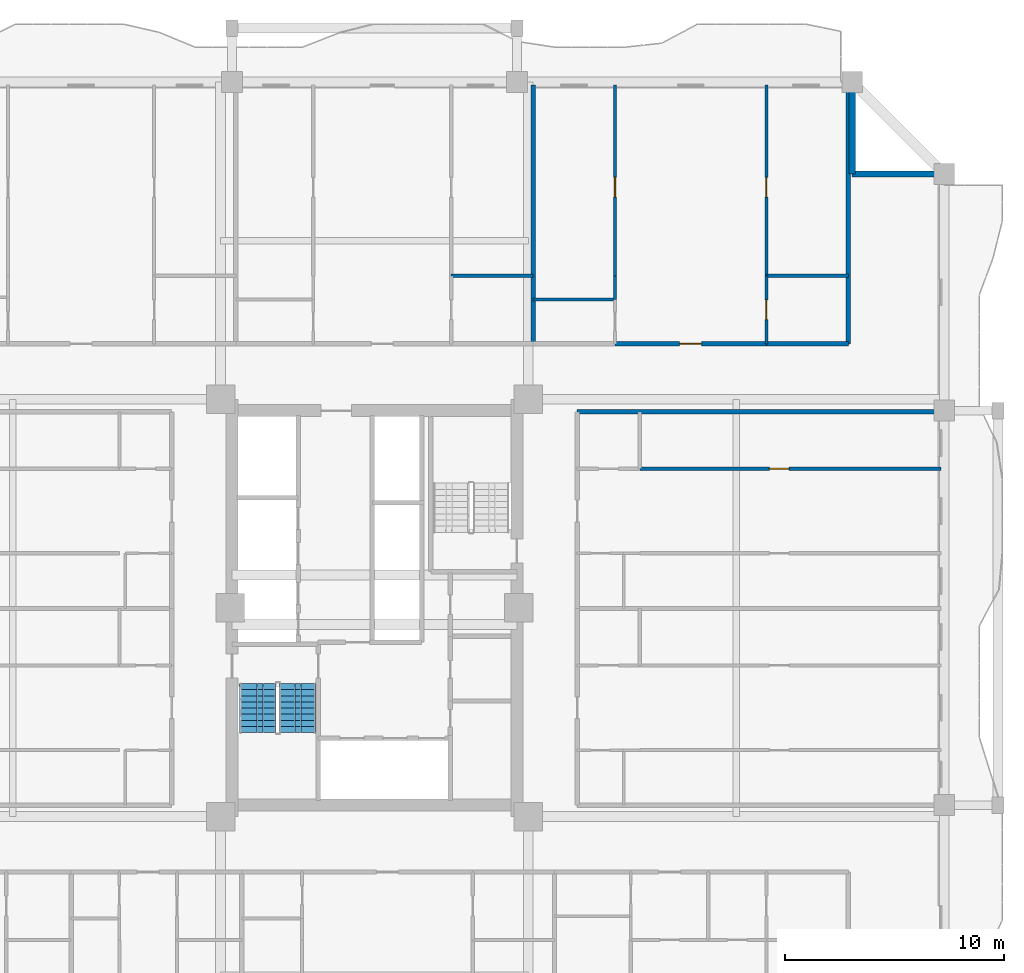
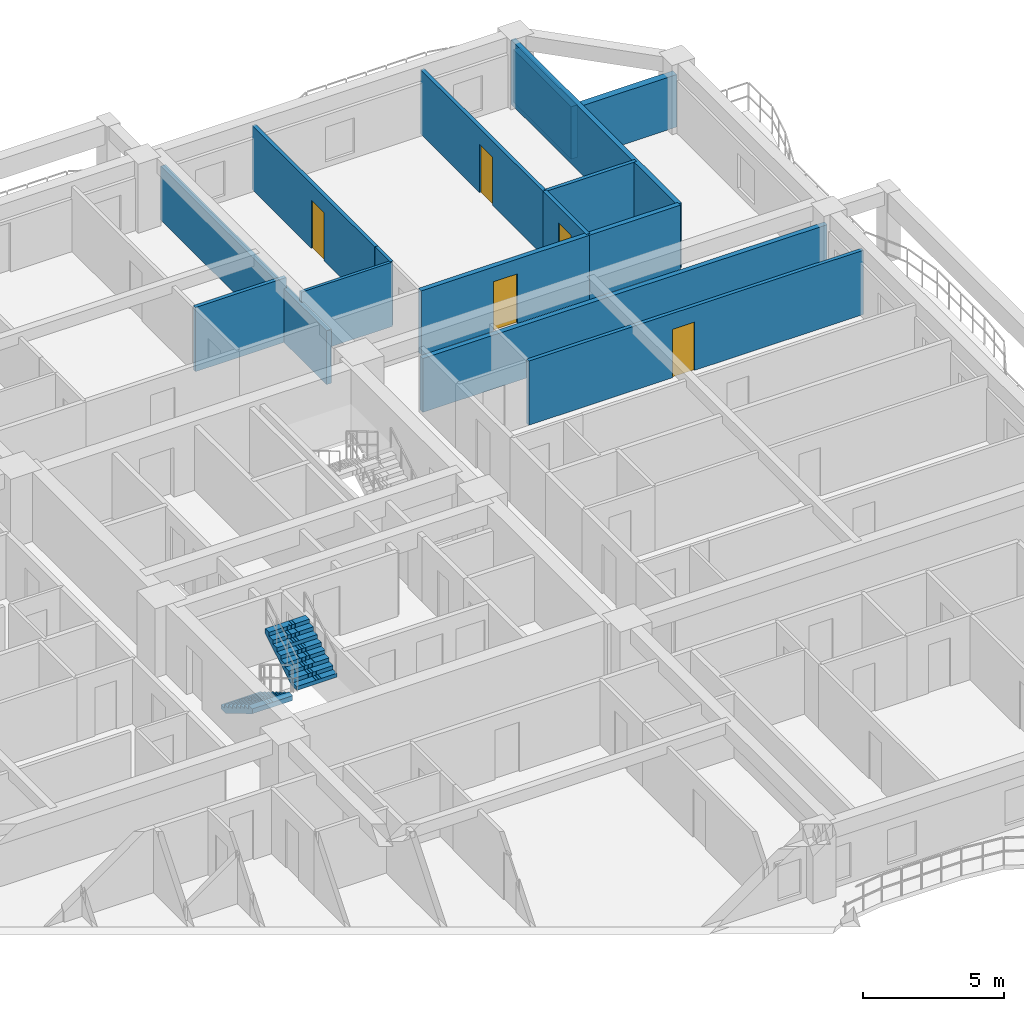
# One storey, part 8 of 13: 15 walls, 5 doors, 2 stair flights, 5 openings, 1 element without a shape of its own.
"""IFC4 building model written with IfcOpenShell, lengths in metres."""

from ifc_helpers import new_model, si_unit, direction, frame, frame_2d, origin, place, context, subcontext, project, spatial, polyline, rectangle, outline, extrude, source, transform, mapped, material, layer, layer_set, type_object, element, fill, aggregate, save


model = new_model("IFC4")

# Units and contexts
model_context = context("Model", 3, precision=1e-05, world=origin(), true_north=direction((0.0, 1.0)))
body_context = subcontext(model_context, "Body", "Model", "MODEL_VIEW")
ifc_project = project(units=[si_unit("LENGTHUNIT", "METRE"), si_unit("AREAUNIT", "SQUARE_METRE"), si_unit("VOLUMEUNIT", "CUBIC_METRE"), si_unit("PLANEANGLEUNIT", "RADIAN"), si_unit("MASSUNIT", "GRAM", prefix="KILO")], contexts=[model_context])

# Site, building, storey
site_placement = place(None, origin())
site = spatial("IfcSite", under=ifc_project, at=site_placement, CompositionType="ELEMENT")
building_placement = place(site_placement, origin())
building = spatial("IfcBuilding", under=site, at=building_placement, Name="Saelheon Loggia Tower", CompositionType="ELEMENT")
storey_placement = place(building_placement, frame((0.0, 0.0, 83.85009765625)))
storey = spatial("IfcBuildingStorey", under=building, at=storey_placement, Name="L26", CompositionType="ELEMENT", Elevation=83.85009765625)

# Walls
ifc_material_1 = material(Name="Architectural Precast Concrete C40/50", Category="concrete")
ifc_layer_1 = layer(ifc_material_1, 0.280029296875)
ifc_layer_set_1 = layer_set([ifc_layer_1], Name="Architectural Precast Concrete C40/50")
wall_type_1 = type_object("IfcWallType", Name="Wall_Ext_Loggia_280", PredefinedType="SOLIDWALL", material=ifc_layer_set_1)
for number, where, z_axis, x_axis, name in (
    (1, (59.800048828125, 46.800048828125, 0.0), (0.0, 0.0, 1.0), (0.0, 1.0, 0.0), "L26 Corner Notch Precast Wall NE1"),
    (2, (59.800048828125, 46.800048828125, 0.0), (0.0, 0.0, 1.0), (1.0, 0.0, 0.0), "L26 Corner Notch Precast Wall NE2"),
):
    element("IfcWall", number, at=place(storey_placement, frame(where, z_axis=z_axis, x_axis=x_axis)), inside=storey, type_object=wall_type_1, Name=name, PredefinedType="SOLIDWALL", context=body_context, shape_type="SweptSolid", body=[
        extrude(rectangle(XDim=4.119873046875, YDim=0.280029296875, at=frame_2d((2.06005859375, 0.0))), origin(), (0.0, 0.0, 1.0), 2.27978515625),
    ])
ifc_material_2 = material(Name="Lightweight Autoclaved Aerated Concrete Block and Acoustic Gypsum", Category="concrete")
ifc_layer_2 = layer(ifc_material_2, 0.14990234375)
ifc_layer_set_2 = layer_set([ifc_layer_2], Name="Lightweight Autoclaved Aerated Concrete Block and Acoustic Gypsum")
wall_type_2 = type_object("IfcWallType", Name="Wall_Part_150", PredefinedType="PARTITIONING", material=ifc_layer_set_2)
for number, where, z_axis, x_axis, name in (
    (3, (41.5029296875, 42.14990234375, 0.0), (0.0, 0.0, 1.0), (1.0, 0.0, 0.0), "L26 N Partition V20"),
    (4, (55.884521484375, 42.14990234375, 0.0), (0.0, 0.0, 1.0), (1.0, 0.0, 0.0), "L26 N Partition V31"),
):
    element("IfcWall", number, at=place(storey_placement, frame(where, z_axis=z_axis, x_axis=x_axis)), inside=storey, type_object=wall_type_2, Name=name, PredefinedType="PARTITIONING", context=body_context, shape_type="SweptSolid", body=[
        extrude(rectangle(XDim=3.735595703125, YDim=0.14990234375, at=frame_2d((1.86767578125, 0.0))), origin(), (0.0, 0.0, 1.0), 2.789794921875),
    ])

# Wall, opening, door
wall_1_placement = place(storey_placement, frame((48.97412109375, 42.14990234375, 0.0), z_axis=(0.0, 0.0, 1.0), x_axis=(0.0, 1.0, 0.0)))
wall_1 = element("IfcWall", 5, at=wall_1_placement, inside=storey, type_object=wall_type_2, Name="L26 N Partition U34", PredefinedType="PARTITIONING", context=body_context, shape_type="SweptSolid", body=[
    extrude(rectangle(XDim=8.7001953125, YDim=0.14990234375, at=frame_2d((4.35009765625, 0.0))), origin(), (0.0, 0.0, 1.0), 2.789794921875),
])
opening_1_placement = place(wall_1_placement, frame((3.594970703125, 0.0, 0.0)))
opening_1 = element("IfcOpeningElement", 6, at=opening_1_placement, cuts=wall_1, Name="Opening D-IN2", PredefinedType="OPENING", context=body_context, shape_type="SweptSolid", body=[
    extrude(rectangle(XDim=0.89990234375, YDim=2.10009765625, at=frame_2d((0.449951171875, 1.050048828125))), frame((0.0, 0.0869140625, 0.0), z_axis=(0.0, -1.0, 0.0), x_axis=(1.0, 0.0, 0.0)), (0.0, 0.0, 1.0), 0.173828125),
])
ifc_material_3 = material(Name="Engineered Oak Flush Door", Category="timber")
door_type_1 = type_object("IfcDoorType", Name="Door_Int_900", OperationType="NOTDEFINED", PredefinedType="DOOR", material=ifc_material_3)
shared_shape_1 = source(origin(), body_context, "Body", "SweptSolid", [
    extrude(rectangle(XDim=0.89990234375, YDim=2.10009765625, at=frame_2d((0.449951171875, 1.050048828125))), frame((0.0, 0.02490234375, 0.0), z_axis=(0.0, -1.0, 0.0), x_axis=(1.0, 0.0, 0.0)), (0.0, 0.0, 1.0), 0.050048828125),
])
door_1_placement = place(opening_1_placement, origin())
door_1 = element("IfcDoor", 7, at=door_1_placement, inside=storey, type_object=door_type_1, Name="Unit U07 Bedroom 2 Door", OperationType="SINGLE_SWING_LEFT", OverallHeight=2.10009765625, OverallWidth=0.89990234375, PredefinedType="DOOR", context=body_context, shape_type="MappedRepresentation", body=[
    mapped(shared_shape_1, transform((0.0, 0.0, 0.0), scale=1.0)),
])
fill(opening_1, door_1)

wall_2_placement = place(storey_placement, frame((55.884521484375, 39.050048828125, 0.0), z_axis=(0.0, 0.0, 1.0), x_axis=(0.0, 1.0, 0.0)))
wall_2 = element("IfcWall", 8, at=wall_2_placement, inside=storey, type_object=wall_type_2, Name="L26 N Partition U35", PredefinedType="PARTITIONING", context=body_context, shape_type="SweptSolid", body=[
    extrude(rectangle(XDim=3.099853515625, YDim=0.14990234375, at=frame_2d((1.5498046875, 0.0))), origin(), (0.0, 0.0, 1.0), 2.789794921875),
])
opening_2_placement = place(wall_2_placement, frame((1.10009765625, 0.0, 0.0)))
opening_2 = element("IfcOpeningElement", 9, at=opening_2_placement, cuts=wall_2, Name="Opening D-IN2", PredefinedType="OPENING", context=body_context, shape_type="SweptSolid", body=[
    extrude(rectangle(XDim=0.89990234375, YDim=2.10009765625, at=frame_2d((0.449951171875, 1.050048828125))), frame((0.0, 0.0869140625, 0.0), z_axis=(0.0, -1.0, 0.0), x_axis=(1.0, 0.0, 0.0)), (0.0, 0.0, 1.0), 0.173828125),
])
door_2_placement = place(opening_2_placement, origin())
door_2 = element("IfcDoor", 10, at=door_2_placement, inside=storey, type_object=door_type_1, Name="Unit U07 Kitchen Door", OperationType="SINGLE_SWING_RIGHT", OverallHeight=2.10009765625, OverallWidth=0.89990234375, PredefinedType="DOOR", context=body_context, shape_type="MappedRepresentation", body=[
    mapped(shared_shape_1, transform((0.0, 0.0, 0.0), scale=1.0)),
])
fill(opening_2, door_2)

wall_3_placement = place(storey_placement, frame((55.884521484375, 42.14990234375, 0.0), z_axis=(0.0, 0.0, 1.0), x_axis=(0.0, 1.0, 0.0)))
wall_3 = element("IfcWall", 11, at=wall_3_placement, inside=storey, type_object=wall_type_2, Name="L26 N Partition U36", PredefinedType="PARTITIONING", context=body_context, shape_type="SweptSolid", body=[
    extrude(rectangle(XDim=8.7001953125, YDim=0.14990234375, at=frame_2d((4.35009765625, 0.0))), origin(), (0.0, 0.0, 1.0), 2.789794921875),
])
opening_3_placement = place(wall_3_placement, frame((3.594970703125, 0.0, 0.0)))
opening_3 = element("IfcOpeningElement", 12, at=opening_3_placement, cuts=wall_3, Name="Opening D-IN2", PredefinedType="OPENING", context=body_context, shape_type="SweptSolid", body=[
    extrude(rectangle(XDim=0.89990234375, YDim=2.10009765625, at=frame_2d((0.449951171875, 1.050048828125))), frame((0.0, 0.0869140625, 0.0), z_axis=(0.0, -1.0, 0.0), x_axis=(1.0, 0.0, 0.0)), (0.0, 0.0, 1.0), 0.173828125),
])
door_3_placement = place(opening_3_placement, origin())
door_3 = element("IfcDoor", 13, at=door_3_placement, inside=storey, type_object=door_type_1, Name="Unit U07 Bedroom 1 Door", OperationType="SINGLE_SWING_LEFT", OverallHeight=2.10009765625, OverallWidth=0.89990234375, PredefinedType="DOOR", context=body_context, shape_type="MappedRepresentation", body=[
    mapped(shared_shape_1, transform((0.0, 0.0, 0.0), scale=1.0)),
])
fill(opening_3, door_3)

wall_4_placement = place(storey_placement, frame((50.110107421875, 33.35009765625, 0.0), z_axis=(0.0, 0.0, 1.0), x_axis=(1.0, 0.0, 0.0)))
wall_4 = element("IfcWall", 14, at=wall_4_placement, inside=storey, type_object=wall_type_2, Name="L26 E Partition U23", PredefinedType="PARTITIONING", context=body_context, shape_type="SweptSolid", body=[
    extrude(rectangle(XDim=13.739990234375, YDim=0.14990234375, at=frame_2d((6.8701171875, 0.0))), origin(), (0.0, 0.0, 1.0), 2.789794921875),
])
opening_4_placement = place(wall_4_placement, frame((5.905029296875, 0.0, 0.0)))
opening_4 = element("IfcOpeningElement", 15, at=opening_4_placement, cuts=wall_4, Name="Opening D-IN2", PredefinedType="OPENING", context=body_context, shape_type="SweptSolid", body=[
    extrude(rectangle(XDim=0.89990234375, YDim=2.10009765625, at=frame_2d((0.449951171875, 1.050048828125))), frame((0.0, 0.0869140625, 0.0), z_axis=(0.0, -1.0, 0.0), x_axis=(1.0, 0.0, 0.0)), (0.0, 0.0, 1.0), 0.173828125),
])
door_4_placement = place(opening_4_placement, origin())
door_4 = element("IfcDoor", 16, at=door_4_placement, inside=storey, type_object=door_type_1, Name="Unit U11 Bedroom 1 Door", OperationType="SINGLE_SWING_LEFT", OverallHeight=2.10009765625, OverallWidth=0.89990234375, PredefinedType="DOOR", context=body_context, shape_type="MappedRepresentation", body=[
    mapped(shared_shape_1, transform((0.0, 0.0, 0.0), scale=1.0)),
])
fill(opening_4, door_4)

# Walls
ifc_material_4 = material(Name="Double Acoustic Stud and Fireboard Partition", Category="gypsum")
ifc_layer_3 = layer(ifc_material_4, 0.199951171875)
ifc_layer_set_3 = layer_set([ifc_layer_3], Name="Double Acoustic Stud and Fireboard Partition")
wall_type_3 = type_object("IfcWallType", Name="Wall_Party_200", PredefinedType="PARTITIONING", material=ifc_layer_set_3)
wall_5_placement = place(storey_placement, frame((59.6201171875, 39.050048828125, 0.0), z_axis=(0.0, 0.0, 1.0), x_axis=(0.0, 1.0, 0.0)))
element("IfcWall", 17, at=wall_5_placement, inside=storey, type_object=wall_type_3, Name="L26 N Partition U02", PredefinedType="PARTITIONING", context=body_context, shape_type="SweptSolid", body=[
    extrude(rectangle(XDim=11.800048828125, YDim=0.199951171875, at=frame_2d((5.89990234375, 0.0))), origin(), (0.0, 0.0, 1.0), 2.789794921875),
])
wall_6_placement = place(storey_placement, frame((45.238525390625, 39.050048828125, 0.0), z_axis=(0.0, 0.0, 1.0), x_axis=(0.0, 1.0, 0.0)))
element("IfcWall", 18, at=wall_6_placement, inside=storey, type_object=wall_type_3, Name="L26 N Partition U26", PredefinedType="PARTITIONING", context=body_context, shape_type="SweptSolid", body=[
    extrude(rectangle(XDim=11.800048828125, YDim=0.199951171875, at=frame_2d((5.89990234375, 0.0))), origin(), (0.0, 0.0, 1.0), 2.33984375),
])

# Wall, opening, door
wall_7_placement = place(storey_placement, frame((48.97412109375, 39.050048828125, 0.0), z_axis=(0.0, 0.0, 1.0), x_axis=(1.0, 0.0, 0.0)))
wall_7 = element("IfcWall", 19, at=wall_7_placement, inside=storey, type_object=wall_type_3, Name="L26 N Partition V28", PredefinedType="PARTITIONING", context=body_context, shape_type="SweptSolid", body=[
    extrude(rectangle(XDim=6.910400390625, YDim=0.199951171875, at=frame_2d((3.455078125, 0.0))), origin(), (0.0, 0.0, 1.0), 2.789794921875),
])
opening_5_placement = place(wall_7_placement, frame((2.955078125, 0.0, 0.0)))
opening_5 = element("IfcOpeningElement", 20, at=opening_5_placement, cuts=wall_7, Name="Opening D-FD1", PredefinedType="OPENING", context=body_context, shape_type="SweptSolid", body=[
    extrude(rectangle(XDim=1.0, YDim=2.14990234375, at=frame_2d((0.5, 1.074951171875))), frame((0.0, 0.112060546875, 0.0), z_axis=(0.0, -1.0, 0.0), x_axis=(1.0, 0.0, 0.0)), (0.0, 0.0, 1.0), 0.223876953125),
])
ifc_material_5 = material(Name="Fire-Rated Engineered Timber Entrance Door", Category="wood")
door_type_2 = type_object("IfcDoorType", Name="Door_Flat_FD30S", OperationType="NOTDEFINED", PredefinedType="DOOR", material=ifc_material_5)
shared_shape_2 = source(origin(), body_context, "Body", "SweptSolid", [
    extrude(rectangle(XDim=1.0, YDim=2.14990234375, at=frame_2d((0.5, 1.074951171875))), frame((0.0, 0.02490234375, 0.0), z_axis=(0.0, -1.0, 0.0), x_axis=(1.0, 0.0, 0.0)), (0.0, 0.0, 1.0), 0.050048828125),
])
door_5_placement = place(opening_5_placement, origin())
door_5 = element("IfcDoor", 21, at=door_5_placement, inside=storey, type_object=door_type_2, Name="Unit U07 Entrance Door", OperationType="SINGLE_SWING_LEFT", OverallHeight=2.14990234375, OverallWidth=1.0, PredefinedType="DOOR", context=body_context, shape_type="MappedRepresentation", body=[
    mapped(shared_shape_2, transform((0.0, 0.0, 0.0), scale=1.0)),
])
fill(opening_5, door_5)

# Walls
wall_8_placement = place(storey_placement, frame((55.884521484375, 39.050048828125, 0.0), z_axis=(0.0, 0.0, 1.0), x_axis=(1.0, 0.0, 0.0)))
element("IfcWall", 22, at=wall_8_placement, inside=storey, type_object=wall_type_3, Name="L26 N Partition V29", PredefinedType="PARTITIONING", context=body_context, shape_type="SweptSolid", body=[
    extrude(rectangle(XDim=3.735595703125, YDim=0.199951171875, at=frame_2d((1.86767578125, 0.0))), origin(), (0.0, 0.0, 1.0), 2.789794921875),
])
wall_9_placement = place(storey_placement, frame((47.25, 35.949951171875, 0.0), z_axis=(0.0, 0.0, 1.0), x_axis=(1.0, 0.0, 0.0)))
element("IfcWall", 23, at=wall_9_placement, inside=storey, type_object=wall_type_3, Name="L26 E Partition U02", PredefinedType="PARTITIONING", context=body_context, shape_type="SweptSolid", body=[
    extrude(rectangle(XDim=16.60009765625, YDim=0.199951171875, at=frame_2d((8.300048828125, 0.0))), origin(), (0.0, 0.0, 1.0), 2.33984375),
])
ifc_material_6 = material(Name="Moisture-Resistant Cement Board Partition", Category="gypsum")
ifc_layer_4 = layer(ifc_material_6, 0.1201171875)
ifc_layer_set_4 = layer_set([ifc_layer_4], Name="Moisture-Resistant Cement Board Partition")
wall_type_4 = type_object("IfcWallType", Name="Wall_WetPart_120", PredefinedType="PARTITIONING", material=ifc_layer_set_4)
wall_10_placement = place(storey_placement, frame((45.238525390625, 41.070068359375, 0.0), z_axis=(0.0, 0.0, 1.0), x_axis=(1.0, 0.0, 0.0)))
element("IfcWall", 24, at=wall_10_placement, inside=storey, type_object=wall_type_4, Name="L26 N Partition V30", PredefinedType="PARTITIONING", context=body_context, shape_type="SweptSolid", body=[
    extrude(rectangle(XDim=3.735595703125, YDim=0.1201171875, at=frame_2d((1.86767578125, 0.0))), origin(), (0.0, 0.0, 1.0), 2.789794921875),
])
wall_11_placement = place(storey_placement, frame((48.97412109375, 41.070068359375, 0.0), z_axis=(0.0, 0.0, 1.0), x_axis=(0.0, 1.0, 0.0)))
element("IfcWall", 25, at=wall_11_placement, inside=storey, type_object=wall_type_4, Name="L26 N Partition U33", PredefinedType="PARTITIONING", context=body_context, shape_type="SweptSolid", body=[
    extrude(rectangle(XDim=1.079833984375, YDim=0.1201171875, at=frame_2d((0.5400390625, 0.0))), origin(), (0.0, 0.0, 1.0), 2.789794921875),
])

# Stair, stair flights
ifc_material_7 = material(Name="Concrete C40/50", Category="concrete")
stair_type = type_object("IfcStairType", Name="Stair_Escape_Core", PredefinedType="HALF_TURN_STAIR", material=ifc_material_7)
stair_placement = place(storey_placement, origin())
stair = element("IfcStair", 26, at=stair_placement, inside=storey, type_object=stair_type, Name="L26 Special Escape Stair ST1", PredefinedType="HALF_TURN_STAIR")
stair_flight_type = type_object("IfcStairFlightType", Name="StairFlight_Tower_1660", PredefinedType="STRAIGHT", material=ifc_material_7)
stair_flight_1_placement = place(storey_placement, frame((32.679931640625, 23.550048828125, 0.0), z_axis=(0.0, 0.0, 1.0), x_axis=(0.0, -1.0, 0.0)))
stair_flight_1 = element("IfcStairFlight", 27, at=stair_flight_1_placement, type_object=stair_flight_type, Name="ST1 flight 1", NumberOfRisers=9, NumberOfTreads=8, PredefinedType="STRAIGHT", RiserHeight=0.166666667, TreadLength=0.28, context=body_context, shape_type="SweptSolid", body=[
    extrude(outline(polyline([(0.0, 0.0), (0.0, 0.166748046875), (0.280029296875, 0.166748046875), (0.280029296875, 0.333251953125), (0.56005859375, 0.333251953125), (0.56005859375, 0.5), (0.840087890625, 0.5), (0.840087890625, 0.666748046875), (1.1201171875, 0.666748046875), (1.1201171875, 0.833251953125), (1.39990234375, 0.833251953125), (1.39990234375, 1.0), (1.679931640625, 1.0), (1.679931640625, 1.166748046875), (1.9599609375, 1.166748046875), (1.9599609375, 1.333251953125), (2.239990234375, 1.333251953125), (2.239990234375, 1.5), (2.239990234375, 1.1240234375), (0.351806640625, 0.0), (0.0, 0.0)])), frame((0.0, -0.2490234375, 0.0), z_axis=(0.0, -1.0, 0.0), x_axis=(1.0, 0.0, 0.0)), (0.0, 0.0, 1.0), 0.5810546875),
    extrude(outline(polyline([(0.0, 0.0), (0.0, 0.166748046875), (0.280029296875, 0.166748046875), (0.280029296875, 0.333251953125), (0.56005859375, 0.333251953125), (0.56005859375, 0.5), (0.840087890625, 0.5), (0.840087890625, 0.666748046875), (1.1201171875, 0.666748046875), (1.1201171875, 0.833251953125), (1.39990234375, 0.833251953125), (1.39990234375, 1.0), (1.679931640625, 1.0), (1.679931640625, 1.166748046875), (1.9599609375, 1.166748046875), (1.9599609375, 1.333251953125), (2.239990234375, 1.333251953125), (2.239990234375, 1.5), (2.239990234375, 1.1240234375), (0.351806640625, 0.0), (0.0, 0.0)])), frame((0.0, -0.194091796875, 0.0), z_axis=(0.0, -1.0, 0.0), x_axis=(1.0, 0.0, 0.0)), (0.0, 0.0, 1.0), 0.0498046875),
    extrude(outline(polyline([(0.0, 0.0), (0.0, 0.166748046875), (0.280029296875, 0.166748046875), (0.280029296875, 0.333251953125), (0.56005859375, 0.333251953125), (0.56005859375, 0.5), (0.840087890625, 0.5), (0.840087890625, 0.666748046875), (1.1201171875, 0.666748046875), (1.1201171875, 0.833251953125), (1.39990234375, 0.833251953125), (1.39990234375, 1.0), (1.679931640625, 1.0), (1.679931640625, 1.166748046875), (1.9599609375, 1.166748046875), (1.9599609375, 1.333251953125), (2.239990234375, 1.333251953125), (2.239990234375, 1.5), (2.239990234375, 1.1240234375), (0.351806640625, 0.0), (0.0, 0.0)])), frame((0.0, -0.139404296875, 0.0), z_axis=(0.0, -1.0, 0.0), x_axis=(1.0, 0.0, 0.0)), (0.0, 0.0, 1.0), 0.0498046875),
    extrude(outline(polyline([(0.0, 0.0), (0.0, 0.166748046875), (0.280029296875, 0.166748046875), (0.280029296875, 0.333251953125), (0.56005859375, 0.333251953125), (0.56005859375, 0.5), (0.840087890625, 0.5), (0.840087890625, 0.666748046875), (1.1201171875, 0.666748046875), (1.1201171875, 0.833251953125), (1.39990234375, 0.833251953125), (1.39990234375, 1.0), (1.679931640625, 1.0), (1.679931640625, 1.166748046875), (1.9599609375, 1.166748046875), (1.9599609375, 1.333251953125), (2.239990234375, 1.333251953125), (2.239990234375, 1.5), (2.239990234375, 1.1240234375), (0.351806640625, 0.0), (0.0, 0.0)])), frame((0.0, -0.084716796875, 0.0), z_axis=(0.0, -1.0, 0.0), x_axis=(1.0, 0.0, 0.0)), (0.0, 0.0, 1.0), 0.0498046875),
    extrude(outline(polyline([(0.0, 0.0), (0.0, 0.166748046875), (0.280029296875, 0.166748046875), (0.280029296875, 0.333251953125), (0.56005859375, 0.333251953125), (0.56005859375, 0.5), (0.840087890625, 0.5), (0.840087890625, 0.666748046875), (1.1201171875, 0.666748046875), (1.1201171875, 0.833251953125), (1.39990234375, 0.833251953125), (1.39990234375, 1.0), (1.679931640625, 1.0), (1.679931640625, 1.166748046875), (1.9599609375, 1.166748046875), (1.9599609375, 1.333251953125), (2.239990234375, 1.333251953125), (2.239990234375, 1.5), (2.239990234375, 1.1240234375), (0.351806640625, 0.0), (0.0, 0.0)])), frame((0.0, -0.02978515625, 0.0), z_axis=(0.0, -1.0, 0.0), x_axis=(1.0, 0.0, 0.0)), (0.0, 0.0, 1.0), 0.0498046875),
    extrude(outline(polyline([(0.0, 0.0), (0.0, 0.166748046875), (0.280029296875, 0.166748046875), (0.280029296875, 0.333251953125), (0.56005859375, 0.333251953125), (0.56005859375, 0.5), (0.840087890625, 0.5), (0.840087890625, 0.666748046875), (1.1201171875, 0.666748046875), (1.1201171875, 0.833251953125), (1.39990234375, 0.833251953125), (1.39990234375, 1.0), (1.679931640625, 1.0), (1.679931640625, 1.166748046875), (1.9599609375, 1.166748046875), (1.9599609375, 1.333251953125), (2.239990234375, 1.333251953125), (2.239990234375, 1.5), (2.239990234375, 1.1240234375), (0.351806640625, 0.0), (0.0, 0.0)])), frame((0.0, 0.02490234375, 0.0), z_axis=(0.0, -1.0, 0.0), x_axis=(1.0, 0.0, 0.0)), (0.0, 0.0, 1.0), 0.0498046875),
    extrude(outline(polyline([(0.0, 0.0), (0.0, 0.166748046875), (0.280029296875, 0.166748046875), (0.280029296875, 0.333251953125), (0.56005859375, 0.333251953125), (0.56005859375, 0.5), (0.840087890625, 0.5), (0.840087890625, 0.666748046875), (1.1201171875, 0.666748046875), (1.1201171875, 0.833251953125), (1.39990234375, 0.833251953125), (1.39990234375, 1.0), (1.679931640625, 1.0), (1.679931640625, 1.166748046875), (1.9599609375, 1.166748046875), (1.9599609375, 1.333251953125), (2.239990234375, 1.333251953125), (2.239990234375, 1.5), (2.239990234375, 1.1240234375), (0.351806640625, 0.0), (0.0, 0.0)])), frame((0.0, 0.07958984375, 0.0), z_axis=(0.0, -1.0, 0.0), x_axis=(1.0, 0.0, 0.0)), (0.0, 0.0, 1.0), 0.0498046875),
    extrude(outline(polyline([(0.0, 0.0), (0.0, 0.166748046875), (0.280029296875, 0.166748046875), (0.280029296875, 0.333251953125), (0.56005859375, 0.333251953125), (0.56005859375, 0.5), (0.840087890625, 0.5), (0.840087890625, 0.666748046875), (1.1201171875, 0.666748046875), (1.1201171875, 0.833251953125), (1.39990234375, 0.833251953125), (1.39990234375, 1.0), (1.679931640625, 1.0), (1.679931640625, 1.166748046875), (1.9599609375, 1.166748046875), (1.9599609375, 1.333251953125), (2.239990234375, 1.333251953125), (2.239990234375, 1.5), (2.239990234375, 1.1240234375), (0.351806640625, 0.0), (0.0, 0.0)])), frame((0.0, 0.134521484375, 0.0), z_axis=(0.0, -1.0, 0.0), x_axis=(1.0, 0.0, 0.0)), (0.0, 0.0, 1.0), 0.0498046875),
    extrude(outline(polyline([(0.0, 0.0), (0.0, 0.166748046875), (0.280029296875, 0.166748046875), (0.280029296875, 0.333251953125), (0.56005859375, 0.333251953125), (0.56005859375, 0.5), (0.840087890625, 0.5), (0.840087890625, 0.666748046875), (1.1201171875, 0.666748046875), (1.1201171875, 0.833251953125), (1.39990234375, 0.833251953125), (1.39990234375, 1.0), (1.679931640625, 1.0), (1.679931640625, 1.166748046875), (1.9599609375, 1.166748046875), (1.9599609375, 1.333251953125), (2.239990234375, 1.333251953125), (2.239990234375, 1.5), (2.239990234375, 1.1240234375), (0.351806640625, 0.0), (0.0, 0.0)])), frame((0.0, 0.189208984375, 0.0), z_axis=(0.0, -1.0, 0.0), x_axis=(1.0, 0.0, 0.0)), (0.0, 0.0, 1.0), 0.0498046875),
    extrude(outline(polyline([(0.0, 0.0), (0.0, 0.166748046875), (0.280029296875, 0.166748046875), (0.280029296875, 0.333251953125), (0.56005859375, 0.333251953125), (0.56005859375, 0.5), (0.840087890625, 0.5), (0.840087890625, 0.666748046875), (1.1201171875, 0.666748046875), (1.1201171875, 0.833251953125), (1.39990234375, 0.833251953125), (1.39990234375, 1.0), (1.679931640625, 1.0), (1.679931640625, 1.166748046875), (1.9599609375, 1.166748046875), (1.9599609375, 1.333251953125), (2.239990234375, 1.333251953125), (2.239990234375, 1.5), (2.239990234375, 1.1240234375), (0.351806640625, 0.0), (0.0, 0.0)])), frame((0.0, 0.243896484375, 0.0), z_axis=(0.0, -1.0, 0.0), x_axis=(1.0, 0.0, 0.0)), (0.0, 0.0, 1.0), 0.0498046875),
    extrude(outline(polyline([(0.0, 0.0), (0.0, 0.166748046875), (0.280029296875, 0.166748046875), (0.280029296875, 0.333251953125), (0.56005859375, 0.333251953125), (0.56005859375, 0.5), (0.840087890625, 0.5), (0.840087890625, 0.666748046875), (1.1201171875, 0.666748046875), (1.1201171875, 0.833251953125), (1.39990234375, 0.833251953125), (1.39990234375, 1.0), (1.679931640625, 1.0), (1.679931640625, 1.166748046875), (1.9599609375, 1.166748046875), (1.9599609375, 1.333251953125), (2.239990234375, 1.333251953125), (2.239990234375, 1.5), (2.239990234375, 1.1240234375), (0.351806640625, 0.0), (0.0, 0.0)])), frame((0.0, 0.830078125, 0.0), z_axis=(0.0, -1.0, 0.0), x_axis=(1.0, 0.0, 0.0)), (0.0, 0.0, 1.0), 0.5810546875),
])
stair_flight_2_placement = place(storey_placement, frame((34.5, 21.31005859375, 1.5), z_axis=(0.0, 0.0, 1.0), x_axis=(0.0, 1.0, 0.0)))
stair_flight_2 = element("IfcStairFlight", 28, at=stair_flight_2_placement, type_object=stair_flight_type, Name="ST1 flight 2", NumberOfRisers=9, NumberOfTreads=8, PredefinedType="STRAIGHT", RiserHeight=0.166666667, TreadLength=0.28, context=body_context, shape_type="SweptSolid", body=[
    extrude(outline(polyline([(0.0, 0.0), (0.0, 0.166748046875), (0.280029296875, 0.166748046875), (0.280029296875, 0.333251953125), (0.56005859375, 0.333251953125), (0.56005859375, 0.5), (0.840087890625, 0.5), (0.840087890625, 0.666748046875), (1.1201171875, 0.666748046875), (1.1201171875, 0.833251953125), (1.39990234375, 0.833251953125), (1.39990234375, 1.0), (1.679931640625, 1.0), (1.679931640625, 1.166748046875), (1.9599609375, 1.166748046875), (1.9599609375, 1.333251953125), (2.239990234375, 1.333251953125), (2.239990234375, 1.5), (2.239990234375, 1.1240234375), (0.351806640625, 0.0), (0.0, 0.0)])), frame((0.0, -0.2490234375, 0.0), z_axis=(0.0, -1.0, 0.0), x_axis=(1.0, 0.0, 0.0)), (0.0, 0.0, 1.0), 0.5810546875),
    extrude(outline(polyline([(0.0, 0.0), (0.0, 0.166748046875), (0.280029296875, 0.166748046875), (0.280029296875, 0.333251953125), (0.56005859375, 0.333251953125), (0.56005859375, 0.5), (0.840087890625, 0.5), (0.840087890625, 0.666748046875), (1.1201171875, 0.666748046875), (1.1201171875, 0.833251953125), (1.39990234375, 0.833251953125), (1.39990234375, 1.0), (1.679931640625, 1.0), (1.679931640625, 1.166748046875), (1.9599609375, 1.166748046875), (1.9599609375, 1.333251953125), (2.239990234375, 1.333251953125), (2.239990234375, 1.5), (2.239990234375, 1.1240234375), (0.351806640625, 0.0), (0.0, 0.0)])), frame((0.0, -0.194091796875, 0.0), z_axis=(0.0, -1.0, 0.0), x_axis=(1.0, 0.0, 0.0)), (0.0, 0.0, 1.0), 0.0498046875),
    extrude(outline(polyline([(0.0, 0.0), (0.0, 0.166748046875), (0.280029296875, 0.166748046875), (0.280029296875, 0.333251953125), (0.56005859375, 0.333251953125), (0.56005859375, 0.5), (0.840087890625, 0.5), (0.840087890625, 0.666748046875), (1.1201171875, 0.666748046875), (1.1201171875, 0.833251953125), (1.39990234375, 0.833251953125), (1.39990234375, 1.0), (1.679931640625, 1.0), (1.679931640625, 1.166748046875), (1.9599609375, 1.166748046875), (1.9599609375, 1.333251953125), (2.239990234375, 1.333251953125), (2.239990234375, 1.5), (2.239990234375, 1.1240234375), (0.351806640625, 0.0), (0.0, 0.0)])), frame((0.0, -0.139404296875, 0.0), z_axis=(0.0, -1.0, 0.0), x_axis=(1.0, 0.0, 0.0)), (0.0, 0.0, 1.0), 0.0498046875),
    extrude(outline(polyline([(0.0, 0.0), (0.0, 0.166748046875), (0.280029296875, 0.166748046875), (0.280029296875, 0.333251953125), (0.56005859375, 0.333251953125), (0.56005859375, 0.5), (0.840087890625, 0.5), (0.840087890625, 0.666748046875), (1.1201171875, 0.666748046875), (1.1201171875, 0.833251953125), (1.39990234375, 0.833251953125), (1.39990234375, 1.0), (1.679931640625, 1.0), (1.679931640625, 1.166748046875), (1.9599609375, 1.166748046875), (1.9599609375, 1.333251953125), (2.239990234375, 1.333251953125), (2.239990234375, 1.5), (2.239990234375, 1.1240234375), (0.351806640625, 0.0), (0.0, 0.0)])), frame((0.0, -0.084716796875, 0.0), z_axis=(0.0, -1.0, 0.0), x_axis=(1.0, 0.0, 0.0)), (0.0, 0.0, 1.0), 0.0498046875),
    extrude(outline(polyline([(0.0, 0.0), (0.0, 0.166748046875), (0.280029296875, 0.166748046875), (0.280029296875, 0.333251953125), (0.56005859375, 0.333251953125), (0.56005859375, 0.5), (0.840087890625, 0.5), (0.840087890625, 0.666748046875), (1.1201171875, 0.666748046875), (1.1201171875, 0.833251953125), (1.39990234375, 0.833251953125), (1.39990234375, 1.0), (1.679931640625, 1.0), (1.679931640625, 1.166748046875), (1.9599609375, 1.166748046875), (1.9599609375, 1.333251953125), (2.239990234375, 1.333251953125), (2.239990234375, 1.5), (2.239990234375, 1.1240234375), (0.351806640625, 0.0), (0.0, 0.0)])), frame((0.0, -0.02978515625, 0.0), z_axis=(0.0, -1.0, 0.0), x_axis=(1.0, 0.0, 0.0)), (0.0, 0.0, 1.0), 0.0498046875),
    extrude(outline(polyline([(0.0, 0.0), (0.0, 0.166748046875), (0.280029296875, 0.166748046875), (0.280029296875, 0.333251953125), (0.56005859375, 0.333251953125), (0.56005859375, 0.5), (0.840087890625, 0.5), (0.840087890625, 0.666748046875), (1.1201171875, 0.666748046875), (1.1201171875, 0.833251953125), (1.39990234375, 0.833251953125), (1.39990234375, 1.0), (1.679931640625, 1.0), (1.679931640625, 1.166748046875), (1.9599609375, 1.166748046875), (1.9599609375, 1.333251953125), (2.239990234375, 1.333251953125), (2.239990234375, 1.5), (2.239990234375, 1.1240234375), (0.351806640625, 0.0), (0.0, 0.0)])), frame((0.0, 0.02490234375, 0.0), z_axis=(0.0, -1.0, 0.0), x_axis=(1.0, 0.0, 0.0)), (0.0, 0.0, 1.0), 0.0498046875),
    extrude(outline(polyline([(0.0, 0.0), (0.0, 0.166748046875), (0.280029296875, 0.166748046875), (0.280029296875, 0.333251953125), (0.56005859375, 0.333251953125), (0.56005859375, 0.5), (0.840087890625, 0.5), (0.840087890625, 0.666748046875), (1.1201171875, 0.666748046875), (1.1201171875, 0.833251953125), (1.39990234375, 0.833251953125), (1.39990234375, 1.0), (1.679931640625, 1.0), (1.679931640625, 1.166748046875), (1.9599609375, 1.166748046875), (1.9599609375, 1.333251953125), (2.239990234375, 1.333251953125), (2.239990234375, 1.5), (2.239990234375, 1.1240234375), (0.351806640625, 0.0), (0.0, 0.0)])), frame((0.0, 0.07958984375, 0.0), z_axis=(0.0, -1.0, 0.0), x_axis=(1.0, 0.0, 0.0)), (0.0, 0.0, 1.0), 0.0498046875),
    extrude(outline(polyline([(0.0, 0.0), (0.0, 0.166748046875), (0.280029296875, 0.166748046875), (0.280029296875, 0.333251953125), (0.56005859375, 0.333251953125), (0.56005859375, 0.5), (0.840087890625, 0.5), (0.840087890625, 0.666748046875), (1.1201171875, 0.666748046875), (1.1201171875, 0.833251953125), (1.39990234375, 0.833251953125), (1.39990234375, 1.0), (1.679931640625, 1.0), (1.679931640625, 1.166748046875), (1.9599609375, 1.166748046875), (1.9599609375, 1.333251953125), (2.239990234375, 1.333251953125), (2.239990234375, 1.5), (2.239990234375, 1.1240234375), (0.351806640625, 0.0), (0.0, 0.0)])), frame((0.0, 0.134521484375, 0.0), z_axis=(0.0, -1.0, 0.0), x_axis=(1.0, 0.0, 0.0)), (0.0, 0.0, 1.0), 0.0498046875),
    extrude(outline(polyline([(0.0, 0.0), (0.0, 0.166748046875), (0.280029296875, 0.166748046875), (0.280029296875, 0.333251953125), (0.56005859375, 0.333251953125), (0.56005859375, 0.5), (0.840087890625, 0.5), (0.840087890625, 0.666748046875), (1.1201171875, 0.666748046875), (1.1201171875, 0.833251953125), (1.39990234375, 0.833251953125), (1.39990234375, 1.0), (1.679931640625, 1.0), (1.679931640625, 1.166748046875), (1.9599609375, 1.166748046875), (1.9599609375, 1.333251953125), (2.239990234375, 1.333251953125), (2.239990234375, 1.5), (2.239990234375, 1.1240234375), (0.351806640625, 0.0), (0.0, 0.0)])), frame((0.0, 0.189208984375, 0.0), z_axis=(0.0, -1.0, 0.0), x_axis=(1.0, 0.0, 0.0)), (0.0, 0.0, 1.0), 0.0498046875),
    extrude(outline(polyline([(0.0, 0.0), (0.0, 0.166748046875), (0.280029296875, 0.166748046875), (0.280029296875, 0.333251953125), (0.56005859375, 0.333251953125), (0.56005859375, 0.5), (0.840087890625, 0.5), (0.840087890625, 0.666748046875), (1.1201171875, 0.666748046875), (1.1201171875, 0.833251953125), (1.39990234375, 0.833251953125), (1.39990234375, 1.0), (1.679931640625, 1.0), (1.679931640625, 1.166748046875), (1.9599609375, 1.166748046875), (1.9599609375, 1.333251953125), (2.239990234375, 1.333251953125), (2.239990234375, 1.5), (2.239990234375, 1.1240234375), (0.351806640625, 0.0), (0.0, 0.0)])), frame((0.0, 0.243896484375, 0.0), z_axis=(0.0, -1.0, 0.0), x_axis=(1.0, 0.0, 0.0)), (0.0, 0.0, 1.0), 0.0498046875),
    extrude(outline(polyline([(0.0, 0.0), (0.0, 0.166748046875), (0.280029296875, 0.166748046875), (0.280029296875, 0.333251953125), (0.56005859375, 0.333251953125), (0.56005859375, 0.5), (0.840087890625, 0.5), (0.840087890625, 0.666748046875), (1.1201171875, 0.666748046875), (1.1201171875, 0.833251953125), (1.39990234375, 0.833251953125), (1.39990234375, 1.0), (1.679931640625, 1.0), (1.679931640625, 1.166748046875), (1.9599609375, 1.166748046875), (1.9599609375, 1.333251953125), (2.239990234375, 1.333251953125), (2.239990234375, 1.5), (2.239990234375, 1.1240234375), (0.351806640625, 0.0), (0.0, 0.0)])), frame((0.0, 0.830078125, 0.0), z_axis=(0.0, -1.0, 0.0), x_axis=(1.0, 0.0, 0.0)), (0.0, 0.0, 1.0), 0.5810546875),
])
aggregate(stair, [stair_flight_1, stair_flight_2])

save(model, "model.ifc")
